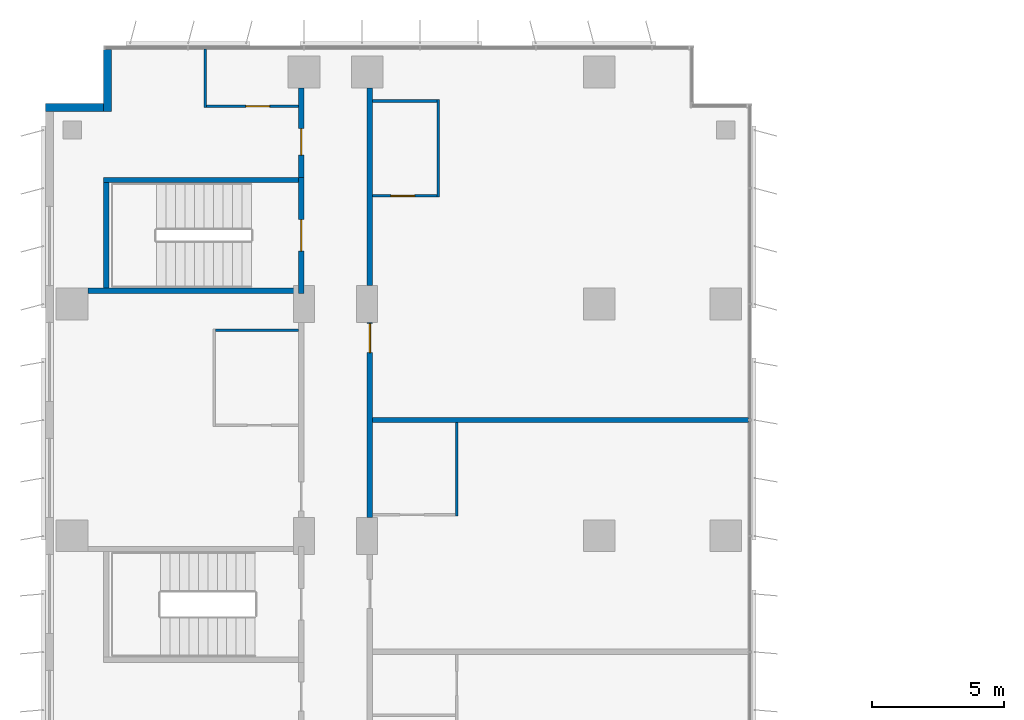
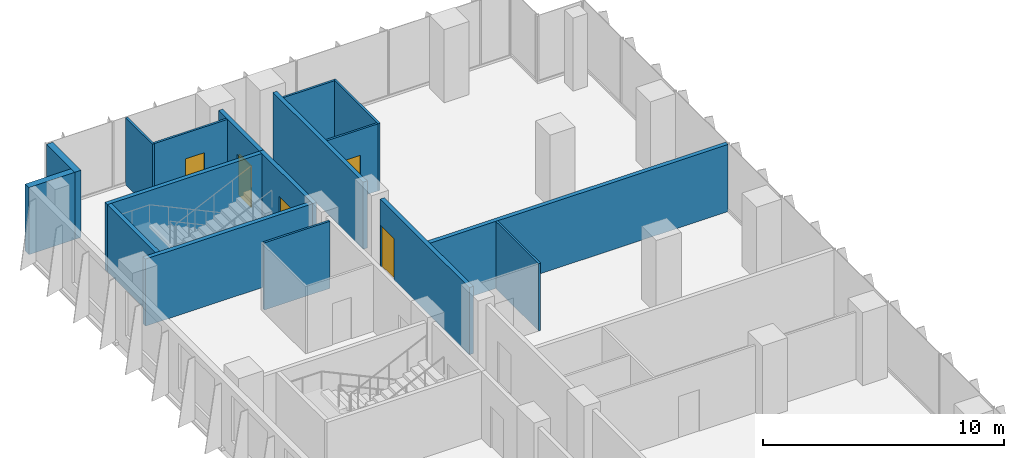
# One storey, part 17 of 22: 17 walls, 5 doors, 5 openings.
"""IFC4 building model written with IfcOpenShell, lengths in metres."""

from ifc_helpers import new_model, si_unit, direction, frame, frame_2d, origin, place, context, subcontext, project, spatial, rectangle, extrude, material, layer, layer_set, type_object, element, fill, save


model = new_model("IFC4")

# Units and contexts
model_context = context("Model", 3, precision=1e-05, world=origin(), true_north=direction((0.0, 1.0)))
body_context = subcontext(model_context, "Body", "Model", "MODEL_VIEW")
ifc_project = project(units=[si_unit("LENGTHUNIT", "METRE"), si_unit("AREAUNIT", "SQUARE_METRE"), si_unit("VOLUMEUNIT", "CUBIC_METRE"), si_unit("PLANEANGLEUNIT", "RADIAN"), si_unit("MASSUNIT", "GRAM", prefix="KILO")], contexts=[model_context])

# Site, building, storey
site_placement = place(None, origin())
site = spatial("IfcSite", under=ifc_project, at=site_placement, CompositionType="ELEMENT")
building_placement = place(site_placement, origin())
building = spatial("IfcBuilding", under=site, at=building_placement, Name="Kemantara Hotel Tower", CompositionType="ELEMENT")
storey_placement = place(building_placement, frame((0.0, 0.0, 125.89990234375)))
storey = spatial("IfcBuildingStorey", under=building, at=storey_placement, Name="L30", CompositionType="ELEMENT", Elevation=125.89990234375)

# Walls
ifc_material_1 = material(Name="Bronze anodised aluminium cladding on insulated steel stud wall", Category="steel")
ifc_layer_1 = layer(ifc_material_1, 0.300048828125)
ifc_layer_set_1 = layer_set([ifc_layer_1], Name="Bronze anodised aluminium cladding on insulated steel stud wall")
wall_type_1 = type_object("IfcWallType", Name="BRONZE METAL-CLAD EXTERNAL WALL 300", PredefinedType="STANDARD", material=ifc_layer_set_1)
wall_1_placement = place(storey_placement, frame((2.35009765625, 81.050048828125, 0.0), z_axis=(0.0, 0.0, 1.0), x_axis=(0.0, -1.0, 0.0)))
element("IfcWall", 1, at=wall_1_placement, inside=storey, type_object=wall_type_1, Name="EXTERNAL WALL L30 T2-R02", PredefinedType="STANDARD", context=body_context, shape_type="SweptSolid", body=[
    extrude(rectangle(XDim=2.35009765625, YDim=0.300048828125, at=frame_2d((1.175048828125, 0.0))), origin(), (0.0, 0.0, 1.0), 3.400146484375),
])
wall_2_placement = place(storey_placement, frame((2.199951171875, 78.85009765625, 0.0), z_axis=(0.0, 0.0, 1.0), x_axis=(-1.0, 0.0, 0.0)))
element("IfcWall", 2, at=wall_2_placement, inside=storey, type_object=wall_type_1, Name="EXTERNAL WALL L30 T2-R03", PredefinedType="STANDARD", context=body_context, shape_type="SweptSolid", body=[
    extrude(rectangle(XDim=2.199951171875, YDim=0.300048828125, at=frame_2d((1.10009765625, 0.0))), origin(), (0.0, 0.0, 1.0), 3.400146484375),
])

# Wall, opening, door
ifc_material_2 = material(Name="Gypsum board partition, steel studs and mineral wool, 200 mm", Category="steel")
ifc_layer_2 = layer(ifc_material_2, 0.199951171875)
ifc_layer_set_2 = layer_set([ifc_layer_2], Name="Gypsum board partition, steel studs and mineral wool, 200 mm")
wall_type_2 = type_object("IfcWallType", Name="CORRIDOR WALL 200", PredefinedType="PARTITIONING", material=ifc_layer_set_2)
wall_3_placement = place(storey_placement, frame((9.699951171875, 76.199951171875, 0.0), z_axis=(0.0, 0.0, 1.0), x_axis=(0.0, 1.0, 0.0)))
wall_3 = element("IfcWall", 3, at=wall_3_placement, inside=storey, type_object=wall_type_2, Name="CORRIDOR WALL 200 022", PredefinedType="PARTITIONING", context=body_context, shape_type="SweptSolid", body=[
    extrude(rectangle(XDim=3.39990234375, YDim=0.199951171875, at=frame_2d((1.699951171875, 0.0))), origin(), (0.0, 0.0, 1.0), 3.400146484375),
])
opening_1_placement = place(wall_3_placement, frame((0.85009765625, 0.0, 0.0)))
opening_1 = element("IfcOpeningElement", 4, at=opening_1_placement, cuts=wall_3, Name="Opening F13-028", PredefinedType="OPENING", context=body_context, shape_type="SweptSolid", body=[
    extrude(rectangle(XDim=1.0, YDim=2.10009765625, at=frame_2d((0.5, 1.050048828125))), frame((0.0, 0.10986328125, 0.0), z_axis=(0.0, -1.0, 0.0), x_axis=(1.0, 0.0, 0.0)), (0.0, 0.0, 1.0), 0.219970703125),
])
ifc_material_3 = material(Name="Hardwood veneer door leaf with steel frame", Category="steel")
door_type_1 = type_object("IfcDoorType", Name="GUEST ROOM DOOR 1000 X 2100 FD30S", OperationType="NOTDEFINED", PredefinedType="DOOR", material=ifc_material_3)
door_1_placement = place(opening_1_placement, origin())
door_1 = element("IfcDoor", 5, at=door_1_placement, inside=storey, type_object=door_type_1, Name="GUEST ROOM DOOR F13-028", OperationType="SINGLE_SWING_LEFT", OverallHeight=2.10009765625, OverallWidth=1.0, PredefinedType="DOOR", context=body_context, shape_type="SweptSolid", body=[
    extrude(rectangle(XDim=1.0, YDim=2.10009765625, at=frame_2d((0.5, 1.050048828125))), frame((0.0, 0.02490234375, 0.0), z_axis=(0.0, -1.0, 0.0), x_axis=(1.0, 0.0, 0.0)), (0.0, 0.0, 1.0), 0.050048828125),
])
fill(opening_1, door_1)

wall_4_placement = place(storey_placement, frame((12.300048828125, 70.699951171875, 0.0), z_axis=(0.0, 0.0, 1.0), x_axis=(0.0, -1.0, 0.0)))
wall_4 = element("IfcWall", 6, at=wall_4_placement, inside=storey, type_object=wall_type_2, Name="CORRIDOR WALL 200 034", PredefinedType="PARTITIONING", context=body_context, shape_type="SweptSolid", body=[
    extrude(rectangle(XDim=7.39990234375, YDim=0.199951171875, at=frame_2d((3.699951171875, 0.0))), origin(), (0.0, 0.0, 1.0), 3.400146484375),
])
opening_2_placement = place(wall_4_placement, frame((0.0498046875, 0.0, 0.0)))
opening_2 = element("IfcOpeningElement", 7, at=opening_2_placement, cuts=wall_4, Name="Opening F13-042", PredefinedType="OPENING", context=body_context, shape_type="SweptSolid", body=[
    extrude(rectangle(XDim=1.10009765625, YDim=2.10009765625, at=frame_2d((0.550048828125, 1.050048828125))), frame((0.0, 0.10986328125, 0.0), z_axis=(0.0, -1.0, 0.0), x_axis=(1.0, 0.0, 0.0)), (0.0, 0.0, 1.0), 0.219970703125),
])
door_type_2 = type_object("IfcDoorType", Name="SUITE ENTRANCE DOOR 1100 X 2100 FD30S", OperationType="NOTDEFINED", PredefinedType="DOOR", material=ifc_material_3)
door_2_placement = place(opening_2_placement, origin())
door_2 = element("IfcDoor", 8, at=door_2_placement, inside=storey, type_object=door_type_2, Name="SUITE ENTRANCE DOOR F13-042", OperationType="SINGLE_SWING_RIGHT", OverallHeight=2.10009765625, OverallWidth=1.10009765625, PredefinedType="DOOR", context=body_context, shape_type="SweptSolid", body=[
    extrude(rectangle(XDim=1.10009765625, YDim=2.10009765625, at=frame_2d((0.550048828125, 1.050048828125))), frame((0.0, 0.02490234375, 0.0), z_axis=(0.0, -1.0, 0.0), x_axis=(1.0, 0.0, 0.0)), (0.0, 0.0, 1.0), 0.050048828125),
])
fill(opening_2, door_2)

# Wall
wall_5_placement = place(storey_placement, frame((12.300048828125, 72.10009765625, 0.0), z_axis=(0.0, 0.0, 1.0), x_axis=(0.0, 1.0, 0.0)))
element("IfcWall", 9, at=wall_5_placement, inside=storey, type_object=wall_type_2, Name="CORRIDOR WALL 200 035", PredefinedType="PARTITIONING", context=body_context, shape_type="SweptSolid", body=[
    extrude(rectangle(XDim=7.499755859375, YDim=0.199951171875, at=frame_2d((3.75, 0.0))), origin(), (0.0, 0.0, 1.0), 3.400146484375),
])

# Wall, opening, door
ifc_material_4 = material(Name="Concrete fc 40 MPa", Category="concrete")
ifc_layer_3 = layer(ifc_material_4, 0.199951171875)
ifc_layer_set_3 = layer_set([ifc_layer_3], Name="Concrete fc 40 MPa")
wall_type_3 = type_object("IfcWallType", Name="Concrete stair wall 200 mm", PredefinedType="SHEAR", material=ifc_layer_set_3)
wall_6_placement = place(storey_placement, frame((9.699951171875, 71.800048828125, 0.0), z_axis=(0.0, 0.0, 1.0), x_axis=(0.0, 1.0, 0.0)))
wall_6 = element("IfcWall", 10, at=wall_6_placement, inside=storey, type_object=wall_type_3, Name="Stair ST6 enclosure wall with door", PredefinedType="SHEAR", context=body_context, shape_type="SweptSolid", body=[
    extrude(rectangle(XDim=4.39990234375, YDim=0.199951171875, at=frame_2d((2.199951171875, 0.0))), origin(), (0.0, 0.0, 1.0), 3.400146484375),
])
opening_3_placement = place(wall_6_placement, frame((1.60009765625, 0.0, 0.0)))
opening_3 = element("IfcOpeningElement", 11, at=opening_3_placement, cuts=wall_6, Name="Opening ST6-C", PredefinedType="OPENING", context=body_context, shape_type="SweptSolid", body=[
    extrude(rectangle(XDim=1.199951171875, YDim=2.10009765625, at=frame_2d((0.60009765625, 1.050048828125))), frame((0.0, 0.10986328125, 0.0), z_axis=(0.0, -1.0, 0.0), x_axis=(1.0, 0.0, 0.0)), (0.0, 0.0, 1.0), 0.219970703125),
])
ifc_material_5 = material(Name="Steel fire door", Category="steel")
door_type_3 = type_object("IfcDoorType", Name="Fire door FD90 1200 x 2100", OperationType="NOTDEFINED", PredefinedType="DOOR", material=ifc_material_5)
door_3_placement = place(opening_3_placement, origin())
door_3 = element("IfcDoor", 12, at=door_3_placement, inside=storey, type_object=door_type_3, Name="Stair ST6 door", OperationType="SINGLE_SWING_RIGHT", OverallHeight=2.10009765625, OverallWidth=1.199951171875, PredefinedType="DOOR", context=body_context, shape_type="SweptSolid", body=[
    extrude(rectangle(XDim=1.199951171875, YDim=2.10009765625, at=frame_2d((0.60009765625, 1.050048828125))), frame((0.0, 0.02490234375, 0.0), z_axis=(0.0, -1.0, 0.0), x_axis=(1.0, 0.0, 0.0)), (0.0, 0.0, 1.0), 0.050048828125),
])
fill(opening_3, door_3)

# Walls
wall_7_placement = place(storey_placement, frame((2.199951171875, 76.10009765625, 0.0), z_axis=(0.0, 0.0, 1.0), x_axis=(1.0, 0.0, 0.0)))
element("IfcWall", 13, at=wall_7_placement, inside=storey, type_object=wall_type_3, Name="Stair ST6 enclosure wall N", PredefinedType="SHEAR", context=body_context, shape_type="SweptSolid", body=[
    extrude(rectangle(XDim=7.400146484375, YDim=0.199951171875, at=frame_2d((3.7001953125, 0.0))), origin(), (0.0, 0.0, 1.0), 3.400146484375),
])
wall_8_placement = place(storey_placement, frame((1.60009765625, 71.89990234375, 0.0), z_axis=(0.0, 0.0, 1.0), x_axis=(1.0, 0.0, 0.0)))
element("IfcWall", 14, at=wall_8_placement, inside=storey, type_object=wall_type_3, Name="Stair ST6 enclosure wall S", PredefinedType="SHEAR", context=body_context, shape_type="SweptSolid", body=[
    extrude(rectangle(XDim=8.0, YDim=0.199951171875, at=frame_2d((4.0, 0.0))), origin(), (0.0, 0.0, 1.0), 3.400146484375),
])
wall_9_placement = place(storey_placement, frame((2.300048828125, 72.0, 0.0), z_axis=(0.0, 0.0, 1.0), x_axis=(0.0, 1.0, 0.0)))
element("IfcWall", 15, at=wall_9_placement, inside=storey, type_object=wall_type_3, Name="Stair ST6 enclosure wall W", PredefinedType="SHEAR", context=body_context, shape_type="SweptSolid", body=[
    extrude(rectangle(XDim=4.0, YDim=0.199951171875, at=frame_2d((2.0, 0.0))), origin(), (0.0, 0.0, 1.0), 3.400146484375),
])
ifc_layer_4 = layer(ifc_material_2, 0.199951171875)
ifc_layer_set_4 = layer_set([ifc_layer_4], Name="Gypsum board partition, steel studs and mineral wool, 200 mm")
wall_type_4 = type_object("IfcWallType", Name="GUEST ROOM PARTY WALL 200", PredefinedType="PARTITIONING", material=ifc_layer_set_4)
wall_10_placement = place(storey_placement, frame((12.39990234375, 67.0, 0.0), z_axis=(0.0, 0.0, 1.0), x_axis=(1.0, 0.0, 0.0)))
element("IfcWall", 16, at=wall_10_placement, inside=storey, type_object=wall_type_4, Name="GUEST ROOM PARTY WALL 200 040", PredefinedType="PARTITIONING", context=body_context, shape_type="SweptSolid", body=[
    extrude(rectangle(XDim=14.27001953125, YDim=0.199951171875, at=frame_2d((7.135009765625, 0.0))), origin(), (0.0, 0.0, 1.0), 3.400146484375),
])
ifc_material_6 = material(Name="Gypsum board partition on steel studs, 100 mm", Category="steel")
ifc_layer_5 = layer(ifc_material_6, 0.10009765625)
ifc_layer_set_5 = layer_set([ifc_layer_5], Name="Gypsum board partition on steel studs, 100 mm")
wall_type_5 = type_object("IfcWallType", Name="ROOM PARTITION 100", PredefinedType="PARTITIONING", material=ifc_layer_set_5)
wall_11_placement = place(storey_placement, frame((6.050048828125, 78.85009765625, 0.0), z_axis=(0.0, 0.0, 1.0), x_axis=(0.0, 1.0, 0.0)))
element("IfcWall", 17, at=wall_11_placement, inside=storey, type_object=wall_type_5, Name="ROOM PARTITION 100 056", PredefinedType="PARTITIONING", context=body_context, shape_type="SweptSolid", body=[
    extrude(rectangle(XDim=2.219970703125, YDim=0.10009765625, at=frame_2d((1.10986328125, 0.0))), origin(), (0.0, 0.0, 1.0), 3.400146484375),
])
wall_12_placement = place(storey_placement, frame((6.449951171875, 70.39990234375, 0.0), z_axis=(0.0, 0.0, 1.0), x_axis=(1.0, 0.0, 0.0)))
element("IfcWall", 18, at=wall_12_placement, inside=storey, type_object=wall_type_5, Name="ROOM PARTITION 100 072", PredefinedType="PARTITIONING", context=body_context, shape_type="SweptSolid", body=[
    extrude(rectangle(XDim=3.150146484375, YDim=0.10009765625, at=frame_2d((1.5751953125, 0.0))), origin(), (0.0, 0.0, 1.0), 3.400146484375),
])

# Wall, opening, door
wall_13_placement = place(storey_placement, frame((6.10009765625, 78.89990234375, 0.0), z_axis=(0.0, 0.0, 1.0), x_axis=(1.0, 0.0, 0.0)))
wall_13 = element("IfcWall", 19, at=wall_13_placement, inside=storey, type_object=wall_type_5, Name="ROOM PARTITION 100 073", PredefinedType="PARTITIONING", context=body_context, shape_type="SweptSolid", body=[
    extrude(rectangle(XDim=3.5, YDim=0.10009765625, at=frame_2d((1.75, 0.0))), origin(), (0.0, 0.0, 1.0), 3.400146484375),
])
opening_4_placement = place(wall_13_placement, frame((1.5, 0.0, 0.0)))
opening_4 = element("IfcOpeningElement", 20, at=opening_4_placement, cuts=wall_13, Name="Opening F13-029", PredefinedType="OPENING", context=body_context, shape_type="SweptSolid", body=[
    extrude(rectangle(XDim=0.89990234375, YDim=2.10009765625, at=frame_2d((0.449951171875, 1.050048828125))), frame((0.0, 0.06005859375, 0.0), z_axis=(0.0, -1.0, 0.0), x_axis=(1.0, 0.0, 0.0)), (0.0, 0.0, 1.0), 0.1201171875),
])
door_type_4 = type_object("IfcDoorType", Name="BATHROOM DOOR 900 X 2100", OperationType="NOTDEFINED", PredefinedType="DOOR", material=ifc_material_3)
door_4_placement = place(opening_4_placement, origin())
door_4 = element("IfcDoor", 21, at=door_4_placement, inside=storey, type_object=door_type_4, Name="BATHROOM DOOR F13-029", OperationType="SINGLE_SWING_RIGHT", OverallHeight=2.10009765625, OverallWidth=0.89990234375, PredefinedType="DOOR", context=body_context, shape_type="SweptSolid", body=[
    extrude(rectangle(XDim=0.89990234375, YDim=2.10009765625, at=frame_2d((0.449951171875, 1.050048828125))), frame((0.0, 0.02490234375, 0.0), z_axis=(0.0, -1.0, 0.0), x_axis=(1.0, 0.0, 0.0)), (0.0, 0.0, 1.0), 0.050048828125),
])
fill(opening_4, door_4)

# Walls
wall_14_placement = place(storey_placement, frame((15.60009765625, 63.35009765625, 0.0), z_axis=(0.0, 0.0, 1.0), x_axis=(0.0, 1.0, 0.0)))
element("IfcWall", 22, at=wall_14_placement, inside=storey, type_object=wall_type_5, Name="ROOM PARTITION 100 078", PredefinedType="PARTITIONING", context=body_context, shape_type="SweptSolid", body=[
    extrude(rectangle(XDim=3.5498046875, YDim=0.10009765625, at=frame_2d((1.77490234375, 0.0))), origin(), (0.0, 0.0, 1.0), 3.400146484375),
])
wall_15_placement = place(storey_placement, frame((14.89990234375, 75.449951171875, 0.0), z_axis=(0.0, 0.0, 1.0), x_axis=(0.0, 1.0, 0.0)))
element("IfcWall", 23, at=wall_15_placement, inside=storey, type_object=wall_type_5, Name="ROOM PARTITION 100 084", PredefinedType="PARTITIONING", context=body_context, shape_type="SweptSolid", body=[
    extrude(rectangle(XDim=3.699951171875, YDim=0.10009765625, at=frame_2d((1.85009765625, 0.0))), origin(), (0.0, 0.0, 1.0), 3.400146484375),
])

# Wall, opening, door
wall_16_placement = place(storey_placement, frame((12.39990234375, 75.5, 0.0), z_axis=(0.0, 0.0, 1.0), x_axis=(1.0, 0.0, 0.0)))
wall_16 = element("IfcWall", 24, at=wall_16_placement, inside=storey, type_object=wall_type_5, Name="ROOM PARTITION 100 085", PredefinedType="PARTITIONING", context=body_context, shape_type="SweptSolid", body=[
    extrude(rectangle(XDim=2.4501953125, YDim=0.10009765625, at=frame_2d((1.22509765625, 0.0))), origin(), (0.0, 0.0, 1.0), 3.400146484375),
])
opening_5_placement = place(wall_16_placement, frame((0.699951171875, 0.0, 0.0)))
opening_5 = element("IfcOpeningElement", 25, at=opening_5_placement, cuts=wall_16, Name="Opening F13-043", PredefinedType="OPENING", context=body_context, shape_type="SweptSolid", body=[
    extrude(rectangle(XDim=0.89990234375, YDim=2.10009765625, at=frame_2d((0.449951171875, 1.050048828125))), frame((0.0, 0.06005859375, 0.0), z_axis=(0.0, -1.0, 0.0), x_axis=(1.0, 0.0, 0.0)), (0.0, 0.0, 1.0), 0.1201171875),
])
door_5_placement = place(opening_5_placement, origin())
door_5 = element("IfcDoor", 26, at=door_5_placement, inside=storey, type_object=door_type_4, Name="BATHROOM DOOR F13-043", OperationType="SINGLE_SWING_LEFT", OverallHeight=2.10009765625, OverallWidth=0.89990234375, PredefinedType="DOOR", context=body_context, shape_type="SweptSolid", body=[
    extrude(rectangle(XDim=0.89990234375, YDim=2.10009765625, at=frame_2d((0.449951171875, 1.050048828125))), frame((0.0, 0.02490234375, 0.0), z_axis=(0.0, -1.0, 0.0), x_axis=(1.0, 0.0, 0.0)), (0.0, 0.0, 1.0), 0.050048828125),
])
fill(opening_5, door_5)

# Wall
wall_17_placement = place(storey_placement, frame((12.39990234375, 79.10009765625, 0.0), z_axis=(0.0, 0.0, 1.0), x_axis=(1.0, 0.0, 0.0)))
element("IfcWall", 27, at=wall_17_placement, inside=storey, type_object=wall_type_5, Name="ROOM PARTITION 100 086", PredefinedType="PARTITIONING", context=body_context, shape_type="SweptSolid", body=[
    extrude(rectangle(XDim=2.4501953125, YDim=0.10009765625, at=frame_2d((1.22509765625, 0.0))), origin(), (0.0, 0.0, 1.0), 3.400146484375),
])

save(model, "model.ifc")
